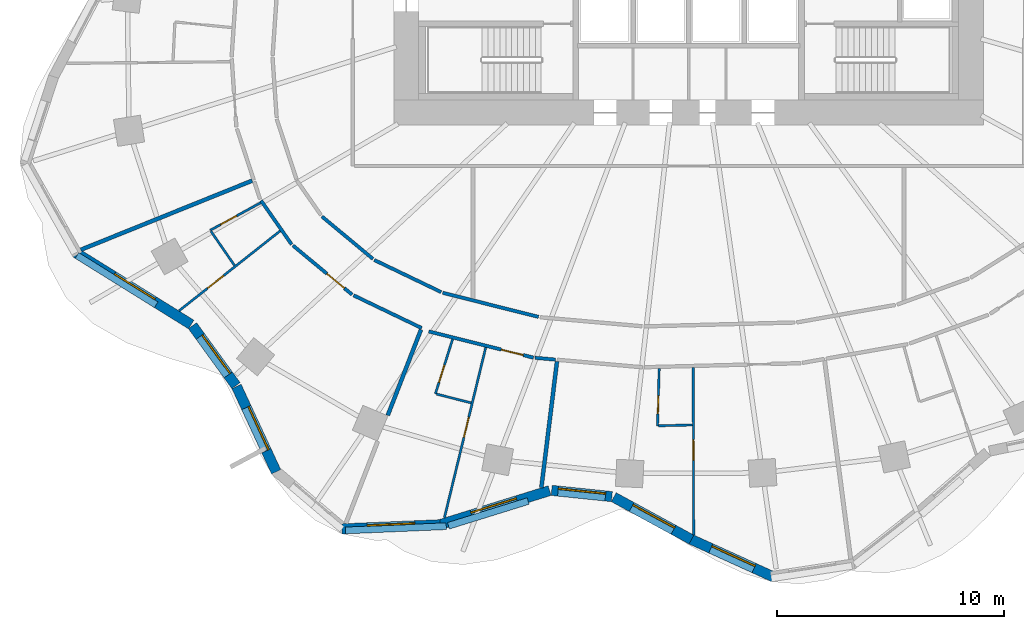
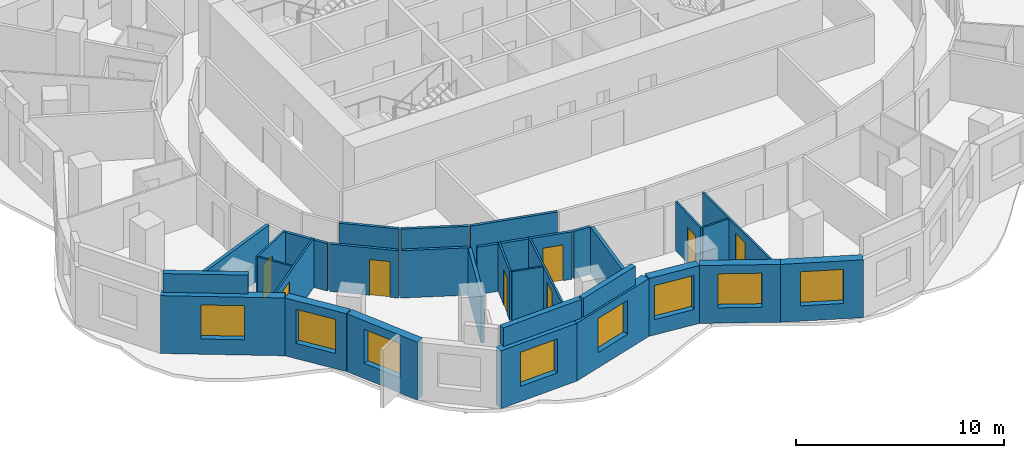
# One storey, part 3 of 11: 31 walls, 8 doors, 8 windows, 16 openings.
"""IFC4 building model written with IfcOpenShell, lengths in metres."""

from ifc_helpers import new_model, si_unit, direction, frame, frame_2d, origin, place, context, subcontext, project, spatial, rectangle, extrude, material, layer, layer_set, type_object, element, fill, save


model = new_model("IFC4")

# Units and contexts
model_context = context("Model", 3, precision=1e-05, world=origin(), true_north=direction((0.0, 1.0)))
body_context = subcontext(model_context, "Body", "Model", "MODEL_VIEW")
ifc_project = project(units=[si_unit("LENGTHUNIT", "METRE"), si_unit("AREAUNIT", "SQUARE_METRE"), si_unit("VOLUMEUNIT", "CUBIC_METRE"), si_unit("PLANEANGLEUNIT", "RADIAN"), si_unit("MASSUNIT", "GRAM", prefix="KILO")], contexts=[model_context])

# Site, building, storey
site_placement = place(None, origin())
site = spatial("IfcSite", under=ifc_project, at=site_placement, CompositionType="ELEMENT")
building_placement = place(site_placement, origin())
building = spatial("IfcBuilding", under=site, at=building_placement, Name="Rubra Terraces Tower", CompositionType="ELEMENT")
storey_placement = place(building_placement, frame((0.0, 0.0, 114.0)))
storey = spatial("IfcBuildingStorey", under=building, at=storey_placement, Name="L27", CompositionType="ELEMENT", Elevation=114.0)

# Walls
ifc_material_1 = material(Name="Twin plasterboard on staggered steel stud, acoustic mineral wool", Category="steel")
ifc_layer_1 = layer(ifc_material_1, 0.175048828125)
ifc_layer_set_1 = layer_set([ifc_layer_1], Name="Twin plasterboard on staggered steel stud, acoustic mineral wool")
wall_type_1 = type_object("IfcWallType", Name="ACOUSTIC PARTY WALL 175", PredefinedType="PARTITIONING", material=ifc_layer_set_1)
wall_1_placement = place(storey_placement, frame((-6.4931640625, -18.982421875, 0.0), z_axis=(0.0, 0.0, 1.0), x_axis=(0.122812974154, 0.992429832975, 0.0)))
element("IfcWall", 1, at=wall_1_placement, inside=storey, type_object=wall_type_1, Name="PARTITION", PredefinedType="PARTITIONING", context=body_context, shape_type="SweptSolid", body=[
    extrude(rectangle(XDim=5.60791015625, YDim=0.175048828125, at=frame_2d((2.803955078125, 0.0))), origin(), (0.0, 0.0, 1.0), 2.783935546875),
])
wall_2_placement = place(storey_placement, frame((-26.795166015625, -8.493896484375, 0.0), z_axis=(0.0, 0.0, 1.0), x_axis=(0.927431243966, 0.373993700101, 0.0)))
element("IfcWall", 2, at=wall_2_placement, inside=storey, type_object=wall_type_1, Name="PARTITION", PredefinedType="PARTITIONING", context=body_context, shape_type="SweptSolid", body=[
    extrude(rectangle(XDim=8.1455078125, YDim=0.175048828125, at=frame_2d((4.07275390625, 0.0))), origin(), (0.0, 0.0, 1.0), 2.783935546875),
])
wall_3_placement = place(storey_placement, frame((-13.26513671875, -15.792724609375, 0.0), z_axis=(0.0, 0.0, 1.0), x_axis=(0.361745790375, 0.932276773896, 0.0)))
element("IfcWall", 3, at=wall_3_placement, inside=storey, type_object=wall_type_1, Name="PARTITION", PredefinedType="PARTITIONING", context=body_context, shape_type="SweptSolid", body=[
    extrude(rectangle(XDim=4.05419921875, YDim=0.175048828125, at=frame_2d((2.027099609375, 0.0))), origin(), (0.0, 0.0, 1.0), 2.783935546875),
])

# Wall, opening, window
ifc_material_2 = material(Name="Brick masonry red-brown", Category="masonry")
ifc_layer_2 = layer(ifc_material_2, 0.449951171875)
ifc_layer_set_2 = layer_set([ifc_layer_2], Name="Brick masonry red-brown")
wall_type_2 = type_object("IfcWallType", Name="Brick facade wall 450", PredefinedType="SOLIDWALL", material=ifc_layer_set_2)
wall_4_placement = place(storey_placement, frame((-27.01611328125, -8.6259765625, 0.0), z_axis=(0.0, 0.0, 1.0), x_axis=(0.849198377377, -0.528073968172, 0.0)))
wall_4 = element("IfcWall", 4, at=wall_4_placement, inside=storey, type_object=wall_type_2, Name="Facade wall L27 bay 23", PredefinedType="SOLIDWALL", context=body_context, shape_type="SweptSolid", body=[
    extrude(rectangle(XDim=5.989501953125, YDim=0.449951171875, at=frame_2d((2.99462890625, 0.0))), origin(), (0.0, 0.0, 1.0), 3.39990234375),
])
opening_1_placement = place(wall_4_placement, frame((1.944580078125, 0.0, 0.89990234375)))
opening_1 = element("IfcOpeningElement", 5, at=opening_1_placement, cuts=wall_4, Name="Opening W1", PredefinedType="OPENING", context=body_context, shape_type="SweptSolid", body=[
    extrude(rectangle(XDim=2.10009765625, YDim=2.0, at=frame_2d((1.050048828125, 1.0))), frame((0.0, 0.23486328125, 0.0), z_axis=(0.0, -1.0, 0.0), x_axis=(1.0, 0.0, 0.0)), (0.0, 0.0, 1.0), 0.469970703125),
])
ifc_material_3 = material(Name="Clear glass in aluminium frame", Category="aluminium")
window_type = type_object("IfcWindowType", Name="Fixed deep-set window 2100 x 2000", PartitioningType="SINGLE_PANEL", PredefinedType="WINDOW", material=ifc_material_3)
window_1_placement = place(opening_1_placement, origin())
window_1 = element("IfcWindow", 6, at=window_1_placement, inside=storey, type_object=window_type, Name="Window L27 bay 23", OverallHeight=2.0, OverallWidth=2.10009765625, PartitioningType="SINGLE_PANEL", PredefinedType="WINDOW", context=body_context, shape_type="SweptSolid", body=[
    extrude(rectangle(XDim=2.10009765625, YDim=2.0, at=frame_2d((1.050048828125, 1.0))), frame((0.0, 0.135009765625, 0.0), z_axis=(0.0, -1.0, 0.0), x_axis=(1.0, 0.0, 0.0)), (0.0, 0.0, 1.0), 0.06005859375),
])
fill(opening_1, window_1)

wall_5_placement = place(storey_placement, frame((-21.872314453125, -11.840576171875, 0.0), z_axis=(0.0, 0.0, 1.0), x_axis=(0.587562050363, -0.809179113036, 0.0)))
wall_5 = element("IfcWall", 7, at=wall_5_placement, inside=storey, type_object=wall_type_2, Name="Facade wall L27 bay 24", PredefinedType="SOLIDWALL", context=body_context, shape_type="SweptSolid", body=[
    extrude(rectangle(XDim=3.262939453125, YDim=0.449951171875, at=frame_2d((1.63134765625, 0.0))), origin(), (0.0, 0.0, 1.0), 3.39990234375),
])
opening_2_placement = place(wall_5_placement, frame((0.58154296875, 0.0, 0.89990234375)))
opening_2 = element("IfcOpeningElement", 8, at=opening_2_placement, cuts=wall_5, Name="Opening W1", PredefinedType="OPENING", context=body_context, shape_type="SweptSolid", body=[
    extrude(rectangle(XDim=2.10009765625, YDim=2.0, at=frame_2d((1.050048828125, 1.0))), frame((0.0, 0.23486328125, 0.0), z_axis=(0.0, -1.0, 0.0), x_axis=(1.0, 0.0, 0.0)), (0.0, 0.0, 1.0), 0.469970703125),
])
window_2_placement = place(opening_2_placement, origin())
window_2 = element("IfcWindow", 9, at=window_2_placement, inside=storey, type_object=window_type, Name="Window L27 bay 24", OverallHeight=2.0, OverallWidth=2.10009765625, PartitioningType="SINGLE_PANEL", PredefinedType="WINDOW", context=body_context, shape_type="SweptSolid", body=[
    extrude(rectangle(XDim=2.10009765625, YDim=2.0, at=frame_2d((1.050048828125, 1.0))), frame((0.0, 0.135009765625, 0.0), z_axis=(0.0, -1.0, 0.0), x_axis=(1.0, 0.0, 0.0)), (0.0, 0.0, 1.0), 0.06005859375),
])
fill(opening_2, window_2)

wall_6_placement = place(storey_placement, frame((-19.9306640625, -14.519287109375, 0.0), z_axis=(0.0, 0.0, 1.0), x_axis=(0.421138964136, -0.906996126169, 0.0)))
wall_6 = element("IfcWall", 10, at=wall_6_placement, inside=storey, type_object=wall_type_2, Name="Facade wall L27 bay 25", PredefinedType="SOLIDWALL", context=body_context, shape_type="SweptSolid", body=[
    extrude(rectangle(XDim=4.149658203125, YDim=0.449951171875, at=frame_2d((2.07470703125, 0.0))), origin(), (0.0, 0.0, 1.0), 3.39990234375),
])
opening_3_placement = place(wall_6_placement, frame((1.02490234375, 0.0, 0.89990234375)))
opening_3 = element("IfcOpeningElement", 11, at=opening_3_placement, cuts=wall_6, Name="Opening W1", PredefinedType="OPENING", context=body_context, shape_type="SweptSolid", body=[
    extrude(rectangle(XDim=2.10009765625, YDim=2.0, at=frame_2d((1.050048828125, 1.0))), frame((0.0, 0.23486328125, 0.0), z_axis=(0.0, -1.0, 0.0), x_axis=(1.0, 0.0, 0.0)), (0.0, 0.0, 1.0), 0.469970703125),
])
window_3_placement = place(opening_3_placement, origin())
window_3 = element("IfcWindow", 12, at=window_3_placement, inside=storey, type_object=window_type, Name="Window L27 bay 25", OverallHeight=2.0, OverallWidth=2.10009765625, PartitioningType="SINGLE_PANEL", PredefinedType="WINDOW", context=body_context, shape_type="SweptSolid", body=[
    extrude(rectangle(XDim=2.10009765625, YDim=2.0, at=frame_2d((1.050048828125, 1.0))), frame((0.0, 0.135009765625, 0.0), z_axis=(0.0, -1.0, 0.0), x_axis=(1.0, 0.0, 0.0)), (0.0, 0.0, 1.0), 0.06005859375),
])
fill(opening_3, window_3)

wall_7_placement = place(storey_placement, frame((-15.283447265625, -20.798095703125, 0.0), z_axis=(0.0, 0.0, 1.0), x_axis=(0.999108814386, 0.042208731526, 0.0)))
wall_7 = element("IfcWall", 13, at=wall_7_placement, inside=storey, type_object=wall_type_2, Name="Facade wall L27 bay 27", PredefinedType="SOLIDWALL", context=body_context, shape_type="SweptSolid", body=[
    extrude(rectangle(XDim=4.338134765625, YDim=0.449951171875, at=frame_2d((2.1689453125, 0.0))), origin(), (0.0, 0.0, 1.0), 3.39990234375),
])
opening_4_placement = place(wall_7_placement, frame((1.119140625, 0.0, 0.89990234375)))
opening_4 = element("IfcOpeningElement", 14, at=opening_4_placement, cuts=wall_7, Name="Opening W1", PredefinedType="OPENING", context=body_context, shape_type="SweptSolid", body=[
    extrude(rectangle(XDim=2.10009765625, YDim=2.0, at=frame_2d((1.050048828125, 1.0))), frame((0.0, 0.23486328125, 0.0), z_axis=(0.0, -1.0, 0.0), x_axis=(1.0, 0.0, 0.0)), (0.0, 0.0, 1.0), 0.469970703125),
])
window_4_placement = place(opening_4_placement, origin())
window_4 = element("IfcWindow", 15, at=window_4_placement, inside=storey, type_object=window_type, Name="Window L27 bay 27", OverallHeight=2.0, OverallWidth=2.10009765625, PartitioningType="SINGLE_PANEL", PredefinedType="WINDOW", context=body_context, shape_type="SweptSolid", body=[
    extrude(rectangle(XDim=2.10009765625, YDim=2.0, at=frame_2d((1.050048828125, 1.0))), frame((0.0, 0.135009765625, 0.0), z_axis=(0.0, -1.0, 0.0), x_axis=(1.0, 0.0, 0.0)), (0.0, 0.0, 1.0), 0.06005859375),
])
fill(opening_4, window_4)

wall_8_placement = place(storey_placement, frame((-11.006591796875, -20.625, 0.0), z_axis=(0.0, 0.0, 1.0), x_axis=(0.954949254112, 0.296769139352, 0.0)))
wall_8 = element("IfcWall", 16, at=wall_8_placement, inside=storey, type_object=wall_type_2, Name="Facade wall L27 bay 28", PredefinedType="SOLIDWALL", context=body_context, shape_type="SweptSolid", body=[
    extrude(rectangle(XDim=5.106201171875, YDim=0.449951171875, at=frame_2d((2.55322265625, 0.0))), origin(), (0.0, 0.0, 1.0), 3.39990234375),
])
opening_5_placement = place(wall_8_placement, frame((1.503173828125, 0.0, 0.89990234375)))
opening_5 = element("IfcOpeningElement", 17, at=opening_5_placement, cuts=wall_8, Name="Opening W1", PredefinedType="OPENING", context=body_context, shape_type="SweptSolid", body=[
    extrude(rectangle(XDim=2.10009765625, YDim=2.0, at=frame_2d((1.050048828125, 1.0))), frame((0.0, 0.23486328125, 0.0), z_axis=(0.0, -1.0, 0.0), x_axis=(1.0, 0.0, 0.0)), (0.0, 0.0, 1.0), 0.469970703125),
])
window_5_placement = place(opening_5_placement, origin())
window_5 = element("IfcWindow", 18, at=window_5_placement, inside=storey, type_object=window_type, Name="Window L27 bay 28", OverallHeight=2.0, OverallWidth=2.10009765625, PartitioningType="SINGLE_PANEL", PredefinedType="WINDOW", context=body_context, shape_type="SweptSolid", body=[
    extrude(rectangle(XDim=2.10009765625, YDim=2.0, at=frame_2d((1.050048828125, 1.0))), frame((0.0, 0.135009765625, 0.0), z_axis=(0.0, -1.0, 0.0), x_axis=(1.0, 0.0, 0.0)), (0.0, 0.0, 1.0), 0.06005859375),
])
fill(opening_5, window_5)

wall_9_placement = place(storey_placement, frame((-6.040283203125, -19.1005859375, 0.0), z_axis=(0.0, 0.0, 1.0), x_axis=(0.994675968472, -0.103052014752, 0.0)))
wall_9 = element("IfcWall", 19, at=wall_9_placement, inside=storey, type_object=wall_type_2, Name="Facade wall L27 bay 29", PredefinedType="SOLIDWALL", context=body_context, shape_type="SweptSolid", body=[
    extrude(rectangle(XDim=2.669921875, YDim=0.449951171875, at=frame_2d((1.3349609375, 0.0))), origin(), (0.0, 0.0, 1.0), 3.39990234375),
])
opening_6_placement = place(wall_9_placement, frame((0.284912109375, 0.0, 0.89990234375)))
opening_6 = element("IfcOpeningElement", 20, at=opening_6_placement, cuts=wall_9, Name="Opening W1", PredefinedType="OPENING", context=body_context, shape_type="SweptSolid", body=[
    extrude(rectangle(XDim=2.10009765625, YDim=2.0, at=frame_2d((1.050048828125, 1.0))), frame((0.0, 0.23486328125, 0.0), z_axis=(0.0, -1.0, 0.0), x_axis=(1.0, 0.0, 0.0)), (0.0, 0.0, 1.0), 0.469970703125),
])
window_6_placement = place(opening_6_placement, origin())
window_6 = element("IfcWindow", 21, at=window_6_placement, inside=storey, type_object=window_type, Name="Window L27 bay 29", OverallHeight=2.0, OverallWidth=2.10009765625, PartitioningType="SINGLE_PANEL", PredefinedType="WINDOW", context=body_context, shape_type="SweptSolid", body=[
    extrude(rectangle(XDim=2.10009765625, YDim=2.0, at=frame_2d((1.050048828125, 1.0))), frame((0.0, 0.135009765625, 0.0), z_axis=(0.0, -1.0, 0.0), x_axis=(1.0, 0.0, 0.0)), (0.0, 0.0, 1.0), 0.06005859375),
])
fill(opening_6, window_6)

wall_10_placement = place(storey_placement, frame((-3.302001953125, -19.40087890625, 0.0), z_axis=(0.0, 0.0, 1.0), x_axis=(0.878060540763, -0.47854956562, 0.0)))
wall_10 = element("IfcWall", 22, at=wall_10_placement, inside=storey, type_object=wall_type_2, Name="Facade wall L27 bay 30", PredefinedType="SOLIDWALL", context=body_context, shape_type="SweptSolid", body=[
    extrude(rectangle(XDim=3.9013671875, YDim=0.449951171875, at=frame_2d((1.95068359375, 0.0))), origin(), (0.0, 0.0, 1.0), 3.39990234375),
])
opening_7_placement = place(wall_10_placement, frame((0.900634765625, 0.0, 0.89990234375)))
opening_7 = element("IfcOpeningElement", 23, at=opening_7_placement, cuts=wall_10, Name="Opening W1", PredefinedType="OPENING", context=body_context, shape_type="SweptSolid", body=[
    extrude(rectangle(XDim=2.10009765625, YDim=2.0, at=frame_2d((1.050048828125, 1.0))), frame((0.0, 0.23486328125, 0.0), z_axis=(0.0, -1.0, 0.0), x_axis=(1.0, 0.0, 0.0)), (0.0, 0.0, 1.0), 0.469970703125),
])
window_7_placement = place(opening_7_placement, origin())
window_7 = element("IfcWindow", 24, at=window_7_placement, inside=storey, type_object=window_type, Name="Window L27 bay 30", OverallHeight=2.0, OverallWidth=2.10009765625, PartitioningType="SINGLE_PANEL", PredefinedType="WINDOW", context=body_context, shape_type="SweptSolid", body=[
    extrude(rectangle(XDim=2.10009765625, YDim=2.0, at=frame_2d((1.050048828125, 1.0))), frame((0.0, 0.135009765625, 0.0), z_axis=(0.0, -1.0, 0.0), x_axis=(1.0, 0.0, 0.0)), (0.0, 0.0, 1.0), 0.06005859375),
])
fill(opening_7, window_7)

wall_11_placement = place(storey_placement, frame((0.109130859375, -21.260986328125, 0.0), z_axis=(0.0, 0.0, 1.0), x_axis=(0.910040573706, -0.414519184367, 0.0)))
wall_11 = element("IfcWall", 25, at=wall_11_placement, inside=storey, type_object=wall_type_2, Name="Facade wall L27 bay 31", PredefinedType="SOLIDWALL", context=body_context, shape_type="SweptSolid", body=[
    extrude(rectangle(XDim=4.005615234375, YDim=0.449951171875, at=frame_2d((2.0029296875, 0.0))), origin(), (0.0, 0.0, 1.0), 3.39990234375),
])
opening_8_placement = place(wall_11_placement, frame((0.952880859375, 0.0, 0.89990234375)))
opening_8 = element("IfcOpeningElement", 26, at=opening_8_placement, cuts=wall_11, Name="Opening W1", PredefinedType="OPENING", context=body_context, shape_type="SweptSolid", body=[
    extrude(rectangle(XDim=2.10009765625, YDim=2.0, at=frame_2d((1.050048828125, 1.0))), frame((0.0, 0.23486328125, 0.0), z_axis=(0.0, -1.0, 0.0), x_axis=(1.0, 0.0, 0.0)), (0.0, 0.0, 1.0), 0.469970703125),
])
window_8_placement = place(opening_8_placement, origin())
window_8 = element("IfcWindow", 27, at=window_8_placement, inside=storey, type_object=window_type, Name="Window L27 bay 31", OverallHeight=2.0, OverallWidth=2.10009765625, PartitioningType="SINGLE_PANEL", PredefinedType="WINDOW", context=body_context, shape_type="SweptSolid", body=[
    extrude(rectangle(XDim=2.10009765625, YDim=2.0, at=frame_2d((1.050048828125, 1.0))), frame((0.0, 0.135009765625, 0.0), z_axis=(0.0, -1.0, 0.0), x_axis=(1.0, 0.0, 0.0)), (0.0, 0.0, 1.0), 0.06005859375),
])
fill(opening_8, window_8)

# Walls
ifc_layer_3 = layer(ifc_material_2, 0.300048828125)
ifc_layer_set_3 = layer_set([ifc_layer_3], Name="Brick masonry red-brown")
wall_type_3 = type_object("IfcWallType", Name="Brick parapet 300", PredefinedType="PARAPET", material=ifc_layer_set_3)
wall_12_placement = place(storey_placement, frame((-26.965087890625, -8.74609375, 3.60009765625), z_axis=(0.0, 0.0, 1.0), x_axis=(0.849203312007, -0.528066032686, 0.0)))
element("IfcWall", 28, at=wall_12_placement, inside=storey, type_object=wall_type_3, Name="Parapet L27 bay 23", PredefinedType="PARAPET", context=body_context, shape_type="SweptSolid", body=[
    extrude(rectangle(XDim=4.11279296875, YDim=0.300048828125, at=frame_2d((2.056396484375, 0.0))), origin(), (0.0, 0.0, 1.0), 1.099853515625),
])
wall_13_placement = place(storey_placement, frame((-15.133056640625, -20.866943359375, 3.60009765625), z_axis=(0.0, 0.0, 1.0), x_axis=(0.999109914186, 0.042182690458, 0.0)))
element("IfcWall", 29, at=wall_13_placement, inside=storey, type_object=wall_type_3, Name="Parapet L27 bay 27", PredefinedType="PARAPET", context=body_context, shape_type="SweptSolid", body=[
    extrude(rectangle(XDim=4.45068359375, YDim=0.300048828125, at=frame_2d((2.225341796875, 0.0))), origin(), (0.0, 0.0, 1.0), 1.099853515625),
])
wall_14_placement = place(storey_placement, frame((-10.589599609375, -20.662353515625, 3.60009765625), z_axis=(0.0, 0.0, 1.0), x_axis=(0.954933257017, 0.296820610207, 0.0)))
element("IfcWall", 30, at=wall_14_placement, inside=storey, type_object=wall_type_3, Name="Parapet L27 bay 28", PredefinedType="PARAPET", context=body_context, shape_type="SweptSolid", body=[
    extrude(rectangle(XDim=3.6806640625, YDim=0.300048828125, at=frame_2d((1.84033203125, 0.0))), origin(), (0.0, 0.0, 1.0), 1.099853515625),
])
ifc_material_4 = material(Name="Plasterboard on steel stud, mineral wool infill", Category="steel")
ifc_layer_4 = layer(ifc_material_4, 0.14990234375)
ifc_layer_set_4 = layer_set([ifc_layer_4], Name="Plasterboard on steel stud, mineral wool infill")
wall_type_4 = type_object("IfcWallType", Name="CORRIDOR PARTITION 150", PredefinedType="PARTITIONING", material=ifc_layer_set_4)
wall_15_placement = place(storey_placement, frame((-18.85107421875, -6.324951171875, 0.0), z_axis=(0.0, 0.0, 1.0), x_axis=(0.572090775968, -0.820190309656, 0.0)))
element("IfcWall", 31, at=wall_15_placement, inside=storey, type_object=wall_type_4, Name="PARTITION", PredefinedType="PARTITIONING", context=body_context, shape_type="SweptSolid", body=[
    extrude(rectangle(XDim=2.354736328125, YDim=0.14990234375, at=frame_2d((1.17724609375, 0.0))), origin(), (0.0, 0.0, 1.0), 2.783935546875),
])

# Wall, opening, door
wall_16_placement = place(storey_placement, frame((-17.4462890625, -8.30419921875, 0.0), z_axis=(0.0, 0.0, 1.0), x_axis=(0.769200174495, -0.639007896318, 0.0)))
wall_16 = element("IfcWall", 32, at=wall_16_placement, inside=storey, type_object=wall_type_4, Name="PARTITION", PredefinedType="PARTITIONING", context=body_context, shape_type="SweptSolid", body=[
    extrude(rectangle(XDim=3.390380859375, YDim=0.14990234375, at=frame_2d((1.6953125, 0.0))), origin(), (0.0, 0.0, 1.0), 2.783935546875),
])
opening_9_placement = place(wall_16_placement, frame((1.949951171875, 0.0, 0.0)))
opening_9 = element("IfcOpeningElement", 33, at=opening_9_placement, cuts=wall_16, Name="Opening 27-130", PredefinedType="OPENING", context=body_context, shape_type="SweptSolid", body=[
    extrude(rectangle(XDim=1.0, YDim=2.10009765625, at=frame_2d((0.5, 1.050048828125))), frame((0.0, 0.0849609375, 0.0), z_axis=(0.0, -1.0, 0.0), x_axis=(1.0, 0.0, 0.0)), (0.0, 0.0, 1.0), 0.169921875),
])
ifc_material_5 = material(Name="Painted timber door leaf", Category="wood")
door_type_1 = type_object("IfcDoorType", Name="ROOM DOOR 1000 X 2100", OperationType="SINGLE_SWING_LEFT", PredefinedType="DOOR", material=ifc_material_5)
door_1_placement = place(opening_9_placement, origin())
door_1 = element("IfcDoor", 34, at=door_1_placement, inside=storey, type_object=door_type_1, Name="DOOR 27-130", OperationType="SINGLE_SWING_RIGHT", OverallHeight=2.10009765625, OverallWidth=1.0, PredefinedType="DOOR", context=body_context, shape_type="SweptSolid", body=[
    extrude(rectangle(XDim=1.0, YDim=2.10009765625, at=frame_2d((0.5, 1.050048828125))), frame((0.0, 0.02490234375, 0.0), z_axis=(0.0, -1.0, 0.0), x_axis=(1.0, 0.0, 0.0)), (0.0, 0.0, 1.0), 0.050048828125),
])
fill(opening_9, door_1)

# Wall
wall_17_placement = place(storey_placement, frame((-14.77099609375, -10.50341796875, 0.0), z_axis=(0.0, 0.0, 1.0), x_axis=(0.90150244617, -0.432774005169, 0.0)))
element("IfcWall", 35, at=wall_17_placement, inside=storey, type_object=wall_type_4, Name="PARTITION", PredefinedType="PARTITIONING", context=body_context, shape_type="SweptSolid", body=[
    extrude(rectangle(XDim=3.3271484375, YDim=0.14990234375, at=frame_2d((1.66357421875, 0.0))), origin(), (0.0, 0.0, 1.0), 2.783935546875),
])

# Wall, opening, door
wall_18_placement = place(storey_placement, frame((-11.459716796875, -12.093017578125, 0.0), z_axis=(0.0, 0.0, 1.0), x_axis=(0.969988379079, -0.243151278945, 0.0)))
wall_18 = element("IfcWall", 36, at=wall_18_placement, inside=storey, type_object=wall_type_4, Name="PARTITION", PredefinedType="PARTITIONING", context=body_context, shape_type="SweptSolid", body=[
    extrude(rectangle(XDim=4.75830078125, YDim=0.14990234375, at=frame_2d((2.379150390625, 0.0))), origin(), (0.0, 0.0, 1.0), 2.783935546875),
])
opening_10_placement = place(wall_18_placement, frame((3.300048828125, 0.0, 0.0)))
opening_10 = element("IfcOpeningElement", 37, at=opening_10_placement, cuts=wall_18, Name="Opening 27-133", PredefinedType="OPENING", context=body_context, shape_type="SweptSolid", body=[
    extrude(rectangle(XDim=1.0, YDim=2.10009765625, at=frame_2d((0.5, 1.050048828125))), frame((0.0, 0.0849609375, 0.0), z_axis=(0.0, -1.0, 0.0), x_axis=(1.0, 0.0, 0.0)), (0.0, 0.0, 1.0), 0.169921875),
])
door_2_placement = place(opening_10_placement, origin())
door_2 = element("IfcDoor", 38, at=door_2_placement, inside=storey, type_object=door_type_1, Name="DOOR 27-133", OperationType="SINGLE_SWING_RIGHT", OverallHeight=2.10009765625, OverallWidth=1.0, PredefinedType="DOOR", context=body_context, shape_type="SweptSolid", body=[
    extrude(rectangle(XDim=1.0, YDim=2.10009765625, at=frame_2d((0.5, 1.050048828125))), frame((0.0, 0.02490234375, 0.0), z_axis=(0.0, -1.0, 0.0), x_axis=(1.0, 0.0, 0.0)), (0.0, 0.0, 1.0), 0.050048828125),
])
fill(opening_10, door_2)

# Walls
wall_19_placement = place(storey_placement, frame((-6.76953125, -13.256591796875, 0.0), z_axis=(0.0, 0.0, 1.0), x_axis=(0.996131242487, -0.087878027635, 0.0)))
element("IfcWall", 39, at=wall_19_placement, inside=storey, type_object=wall_type_4, Name="PARTITION", PredefinedType="PARTITIONING", context=body_context, shape_type="SweptSolid", body=[
    extrude(rectangle(XDim=0.90283203125, YDim=0.14990234375, at=frame_2d((0.451416015625, 0.0))), origin(), (0.0, 0.0, 1.0), 2.783935546875),
])
wall_20_placement = place(storey_placement, frame((-6.6171875, -11.451416015625, 0.0), z_axis=(0.0, 0.0, 1.0), x_axis=(-0.969987441267, 0.243155020069, 0.0)))
element("IfcWall", 40, at=wall_20_placement, inside=storey, type_object=wall_type_4, Name="PARTITION", PredefinedType="PARTITIONING", context=body_context, shape_type="SweptSolid", body=[
    extrude(rectangle(XDim=4.358642578125, YDim=0.14990234375, at=frame_2d((2.17919921875, 0.0))), origin(), (0.0, 0.0, 1.0), 2.783935546875),
])
wall_21_placement = place(storey_placement, frame((-10.91259765625, -10.35888671875, 0.0), z_axis=(0.0, 0.0, 1.0), x_axis=(-0.90149741277, 0.432784489982, 0.0)))
element("IfcWall", 41, at=wall_21_placement, inside=storey, type_object=wall_type_4, Name="PARTITION", PredefinedType="PARTITIONING", context=body_context, shape_type="SweptSolid", body=[
    extrude(rectangle(XDim=3.2685546875, YDim=0.14990234375, at=frame_2d((1.63427734375, 0.0))), origin(), (0.0, 0.0, 1.0), 2.783935546875),
])
wall_22_placement = place(storey_placement, frame((-13.916748046875, -8.896484375, 0.0), z_axis=(0.0, 0.0, 1.0), x_axis=(-0.769130409479, 0.639091866021, 0.0)))
element("IfcWall", 42, at=wall_22_placement, inside=storey, type_object=wall_type_4, Name="PARTITION", PredefinedType="PARTITIONING", context=body_context, shape_type="SweptSolid", body=[
    extrude(rectangle(XDim=2.925048828125, YDim=0.14990234375, at=frame_2d((1.46240234375, 0.0))), origin(), (0.0, 0.0, 1.0), 2.783935546875),
])

# Wall, opening, door
ifc_material_6 = material(Name="Plasterboard on steel stud", Category="steel")
ifc_layer_5 = layer(ifc_material_6, 0.10009765625)
ifc_layer_set_5 = layer_set([ifc_layer_5], Name="Plasterboard on steel stud")
wall_type_5 = type_object("IfcWallType", Name="ROOM PARTITION 100", PredefinedType="PARTITIONING", material=ifc_layer_set_5)
wall_23_placement = place(storey_placement, frame((0.21923828125, -21.059326171875, 0.0), z_axis=(0.0, 0.0, 1.0), x_axis=(-0.002352544848, 0.999997232763, 0.0)))
wall_23 = element("IfcWall", 43, at=wall_23_placement, inside=storey, type_object=wall_type_5, Name="PARTITION", PredefinedType="PARTITIONING", context=body_context, shape_type="SweptSolid", body=[
    extrude(rectangle(XDim=7.3681640625, YDim=0.10009765625, at=frame_2d((3.68408203125, 0.0))), origin(), (0.0, 0.0, 1.0), 2.884033203125),
])
opening_11_placement = place(wall_23_placement, frame((3.29296875, 0.0, 0.0)))
opening_11 = element("IfcOpeningElement", 44, at=opening_11_placement, cuts=wall_23, Name="Opening 27-102", PredefinedType="OPENING", context=body_context, shape_type="SweptSolid", body=[
    extrude(rectangle(XDim=0.89990234375, YDim=2.39990234375, at=frame_2d((0.449951171875, 1.199951171875))), frame((0.0, 0.06005859375, 0.0), z_axis=(0.0, -1.0, 0.0), x_axis=(1.0, 0.0, 0.0)), (0.0, 0.0, 1.0), 0.1201171875),
])
ifc_material_7 = material(Name="Veneered timber door leaf, fire-rated", Category="wood")
door_type_2 = type_object("IfcDoorType", Name="SUITE ENTRANCE DOOR 900 X 2400", OperationType="SINGLE_SWING_LEFT", PredefinedType="DOOR", material=ifc_material_7)
door_3_placement = place(opening_11_placement, origin())
door_3 = element("IfcDoor", 45, at=door_3_placement, inside=storey, type_object=door_type_2, Name="DOOR 27-102", OperationType="SINGLE_SWING_LEFT", OverallHeight=2.39990234375, OverallWidth=0.89990234375, PredefinedType="DOOR", context=body_context, shape_type="SweptSolid", body=[
    extrude(rectangle(XDim=0.89990234375, YDim=2.39990234375, at=frame_2d((0.449951171875, 1.199951171875))), frame((0.0, 0.02490234375, 0.0), z_axis=(0.0, -1.0, 0.0), x_axis=(1.0, 0.0, 0.0)), (0.0, 0.0, 1.0), 0.050048828125),
])
fill(opening_11, door_3)

wall_24_placement = place(storey_placement, frame((-1.2998046875, -13.72998046875, 0.0), z_axis=(0.0, 0.0, 1.0), x_axis=(-0.028910332819, -0.99958200897, 0.0)))
wall_24 = element("IfcWall", 46, at=wall_24_placement, inside=storey, type_object=wall_type_5, Name="PARTITION", PredefinedType="PARTITIONING", context=body_context, shape_type="SweptSolid", body=[
    extrude(rectangle(XDim=2.52490234375, YDim=0.10009765625, at=frame_2d((1.262451171875, 0.0))), origin(), (0.0, 0.0, 1.0), 2.884033203125),
])
opening_12_placement = place(wall_24_placement, frame((1.199951171875, 0.0, 0.0)))
opening_12 = element("IfcOpeningElement", 47, at=opening_12_placement, cuts=wall_24, Name="Opening 27-101", PredefinedType="OPENING", context=body_context, shape_type="SweptSolid", body=[
    extrude(rectangle(XDim=0.800048828125, YDim=2.10009765625, at=frame_2d((0.39990234375, 1.050048828125))), frame((0.0, 0.06005859375, 0.0), z_axis=(0.0, -1.0, 0.0), x_axis=(1.0, 0.0, 0.0)), (0.0, 0.0, 1.0), 0.1201171875),
])
door_type_3 = type_object("IfcDoorType", Name="BATHROOM DOOR 800 X 2100", OperationType="SINGLE_SWING_LEFT", PredefinedType="DOOR", material=ifc_material_5)
door_4_placement = place(opening_12_placement, origin())
door_4 = element("IfcDoor", 48, at=door_4_placement, inside=storey, type_object=door_type_3, Name="DOOR 27-101", OperationType="SINGLE_SWING_LEFT", OverallHeight=2.10009765625, OverallWidth=0.800048828125, PredefinedType="DOOR", context=body_context, shape_type="SweptSolid", body=[
    extrude(rectangle(XDim=0.800048828125, YDim=2.10009765625, at=frame_2d((0.39990234375, 1.050048828125))), frame((0.0, 0.02490234375, 0.0), z_axis=(0.0, -1.0, 0.0), x_axis=(1.0, 0.0, 0.0)), (0.0, 0.0, 1.0), 0.050048828125),
])
fill(opening_12, door_4)

# Wall
wall_25_placement = place(storey_placement, frame((-1.322998046875, -16.252685546875, 0.0), z_axis=(0.0, 0.0, 1.0), x_axis=(0.999714428323, 0.023896899457, 0.0)))
element("IfcWall", 49, at=wall_25_placement, inside=storey, type_object=wall_type_5, Name="PARTITION", PredefinedType="PARTITIONING", context=body_context, shape_type="SweptSolid", body=[
    extrude(rectangle(XDim=1.4814453125, YDim=0.10009765625, at=frame_2d((0.74072265625, 0.0))), origin(), (0.0, 0.0, 1.0), 2.884033203125),
])

# Wall, opening, door
wall_26_placement = place(storey_placement, frame((-22.470458984375, -11.18798828125, 0.0), z_axis=(0.0, 0.0, 1.0), x_axis=(0.784820113127, 0.619723640046, 0.0)))
wall_26 = element("IfcWall", 50, at=wall_26_placement, inside=storey, type_object=wall_type_5, Name="PARTITION", PredefinedType="PARTITIONING", context=body_context, shape_type="SweptSolid", body=[
    extrude(rectangle(XDim=5.685791015625, YDim=0.10009765625, at=frame_2d((2.8427734375, 0.0))), origin(), (0.0, 0.0, 1.0), 2.884033203125),
])
opening_13_placement = place(wall_26_placement, frame((1.611083984375, 0.0, 0.0)))
opening_13 = element("IfcOpeningElement", 51, at=opening_13_placement, cuts=wall_26, Name="Opening 27-129", PredefinedType="OPENING", context=body_context, shape_type="SweptSolid", body=[
    extrude(rectangle(XDim=0.89990234375, YDim=2.39990234375, at=frame_2d((0.449951171875, 1.199951171875))), frame((0.0, 0.06005859375, 0.0), z_axis=(0.0, -1.0, 0.0), x_axis=(1.0, 0.0, 0.0)), (0.0, 0.0, 1.0), 0.1201171875),
])
door_5_placement = place(opening_13_placement, origin())
door_5 = element("IfcDoor", 52, at=door_5_placement, inside=storey, type_object=door_type_2, Name="DOOR 27-129", OperationType="SINGLE_SWING_LEFT", OverallHeight=2.39990234375, OverallWidth=0.89990234375, PredefinedType="DOOR", context=body_context, shape_type="SweptSolid", body=[
    extrude(rectangle(XDim=0.89990234375, YDim=2.39990234375, at=frame_2d((0.449951171875, 1.199951171875))), frame((0.0, 0.02490234375, 0.0), z_axis=(0.0, -1.0, 0.0), x_axis=(1.0, 0.0, 0.0)), (0.0, 0.0, 1.0), 0.050048828125),
])
fill(opening_13, door_5)

wall_27_placement = place(storey_placement, frame((-18.873046875, -6.423583984375, 0.0), z_axis=(0.0, 0.0, 1.0), x_axis=(-0.87765527709, -0.479292410327, 0.0)))
wall_27 = element("IfcWall", 53, at=wall_27_placement, inside=storey, type_object=wall_type_5, Name="PARTITION", PredefinedType="PARTITIONING", context=body_context, shape_type="SweptSolid", body=[
    extrude(rectangle(XDim=2.52490234375, YDim=0.10009765625, at=frame_2d((1.262451171875, 0.0))), origin(), (0.0, 0.0, 1.0), 2.884033203125),
])
opening_14_placement = place(wall_27_placement, frame((1.199951171875, 0.0, 0.0)))
opening_14 = element("IfcOpeningElement", 54, at=opening_14_placement, cuts=wall_27, Name="Opening 27-128", PredefinedType="OPENING", context=body_context, shape_type="SweptSolid", body=[
    extrude(rectangle(XDim=0.800048828125, YDim=2.10009765625, at=frame_2d((0.39990234375, 1.050048828125))), frame((0.0, 0.06005859375, 0.0), z_axis=(0.0, -1.0, 0.0), x_axis=(1.0, 0.0, 0.0)), (0.0, 0.0, 1.0), 0.1201171875),
])
door_6_placement = place(opening_14_placement, origin())
door_6 = element("IfcDoor", 55, at=door_6_placement, inside=storey, type_object=door_type_3, Name="DOOR 27-128", OperationType="SINGLE_SWING_LEFT", OverallHeight=2.10009765625, OverallWidth=0.800048828125, PredefinedType="DOOR", context=body_context, shape_type="SweptSolid", body=[
    extrude(rectangle(XDim=0.800048828125, YDim=2.10009765625, at=frame_2d((0.39990234375, 1.050048828125))), frame((0.0, 0.02490234375, 0.0), z_axis=(0.0, -1.0, 0.0), x_axis=(1.0, 0.0, 0.0)), (0.0, 0.0, 1.0), 0.050048828125),
])
fill(opening_14, door_6)

# Wall
wall_28_placement = place(storey_placement, frame((-21.060791015625, -7.6748046875, 0.0), z_axis=(0.0, 0.0, 1.0), x_axis=(0.567329263658, -0.82349104828, 0.0)))
element("IfcWall", 56, at=wall_28_placement, inside=storey, type_object=wall_type_5, Name="PARTITION", PredefinedType="PARTITIONING", context=body_context, shape_type="SweptSolid", body=[
    extrude(rectangle(XDim=1.83740234375, YDim=0.10009765625, at=frame_2d((0.918701171875, 0.0))), origin(), (0.0, 0.0, 1.0), 2.884033203125),
])

# Wall, opening, door
wall_29_placement = place(storey_placement, frame((-10.7685546875, -20.311279296875, 0.0), z_axis=(0.0, 0.0, 1.0), x_axis=(0.235780843646, 0.971806253206, 0.0)))
wall_29 = element("IfcWall", 57, at=wall_29_placement, inside=storey, type_object=wall_type_5, Name="PARTITION", PredefinedType="PARTITIONING", context=body_context, shape_type="SweptSolid", body=[
    extrude(rectangle(XDim=7.728759765625, YDim=0.10009765625, at=frame_2d((3.8642578125, 0.0))), origin(), (0.0, 0.0, 1.0), 2.884033203125),
])
opening_15_placement = place(wall_29_placement, frame((3.654052734375, 0.0, 0.0)))
opening_15 = element("IfcOpeningElement", 58, at=opening_15_placement, cuts=wall_29, Name="Opening 27-132", PredefinedType="OPENING", context=body_context, shape_type="SweptSolid", body=[
    extrude(rectangle(XDim=0.89990234375, YDim=2.39990234375, at=frame_2d((0.449951171875, 1.199951171875))), frame((0.0, 0.06005859375, 0.0), z_axis=(0.0, -1.0, 0.0), x_axis=(1.0, 0.0, 0.0)), (0.0, 0.0, 1.0), 0.1201171875),
])
door_7_placement = place(opening_15_placement, origin())
door_7 = element("IfcDoor", 59, at=door_7_placement, inside=storey, type_object=door_type_2, Name="DOOR 27-132", OperationType="SINGLE_SWING_LEFT", OverallHeight=2.39990234375, OverallWidth=0.89990234375, PredefinedType="DOOR", context=body_context, shape_type="SweptSolid", body=[
    extrude(rectangle(XDim=0.89990234375, YDim=2.39990234375, at=frame_2d((0.449951171875, 1.199951171875))), frame((0.0, 0.02490234375, 0.0), z_axis=(0.0, -1.0, 0.0), x_axis=(1.0, 0.0, 0.0)), (0.0, 0.0, 1.0), 0.050048828125),
])
fill(opening_15, door_7)

wall_30_placement = place(storey_placement, frame((-10.406005859375, -12.434326171875, 0.0), z_axis=(0.0, 0.0, 1.0), x_axis=(-0.300404792704, -0.95381180561, 0.0)))
wall_30 = element("IfcWall", 60, at=wall_30_placement, inside=storey, type_object=wall_type_5, Name="PARTITION", PredefinedType="PARTITIONING", context=body_context, shape_type="SweptSolid", body=[
    extrude(rectangle(XDim=2.525146484375, YDim=0.10009765625, at=frame_2d((1.2626953125, 0.0))), origin(), (0.0, 0.0, 1.0), 2.884033203125),
])
opening_16_placement = place(wall_30_placement, frame((1.199951171875, 0.0, 0.0)))
opening_16 = element("IfcOpeningElement", 61, at=opening_16_placement, cuts=wall_30, Name="Opening 27-131", PredefinedType="OPENING", context=body_context, shape_type="SweptSolid", body=[
    extrude(rectangle(XDim=0.800048828125, YDim=2.10009765625, at=frame_2d((0.39990234375, 1.050048828125))), frame((0.0, 0.06005859375, 0.0), z_axis=(0.0, -1.0, 0.0), x_axis=(1.0, 0.0, 0.0)), (0.0, 0.0, 1.0), 0.1201171875),
])
door_8_placement = place(opening_16_placement, origin())
door_8 = element("IfcDoor", 62, at=door_8_placement, inside=storey, type_object=door_type_3, Name="DOOR 27-131", OperationType="SINGLE_SWING_LEFT", OverallHeight=2.10009765625, OverallWidth=0.800048828125, PredefinedType="DOOR", context=body_context, shape_type="SweptSolid", body=[
    extrude(rectangle(XDim=0.800048828125, YDim=2.10009765625, at=frame_2d((0.39990234375, 1.050048828125))), frame((0.0, 0.02490234375, 0.0), z_axis=(0.0, -1.0, 0.0), x_axis=(1.0, 0.0, 0.0)), (0.0, 0.0, 1.0), 0.050048828125),
])
fill(opening_16, door_8)

# Wall
wall_31_placement = place(storey_placement, frame((-11.115966796875, -14.85498046875, 0.0), z_axis=(0.0, 0.0, 1.0), x_axis=(0.969315873367, -0.245818505486, 0.0)))
element("IfcWall", 63, at=wall_31_placement, inside=storey, type_object=wall_type_5, Name="PARTITION", PredefinedType="PARTITIONING", context=body_context, shape_type="SweptSolid", body=[
    extrude(rectangle(XDim=1.57421875, YDim=0.10009765625, at=frame_2d((0.787109375, 0.0))), origin(), (0.0, 0.0, 1.0), 2.884033203125),
])

save(model, "model.ifc")
